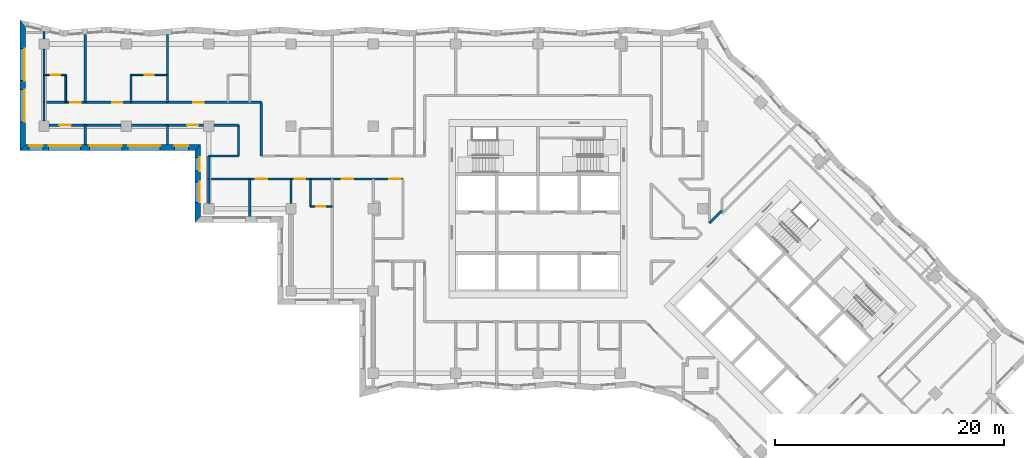
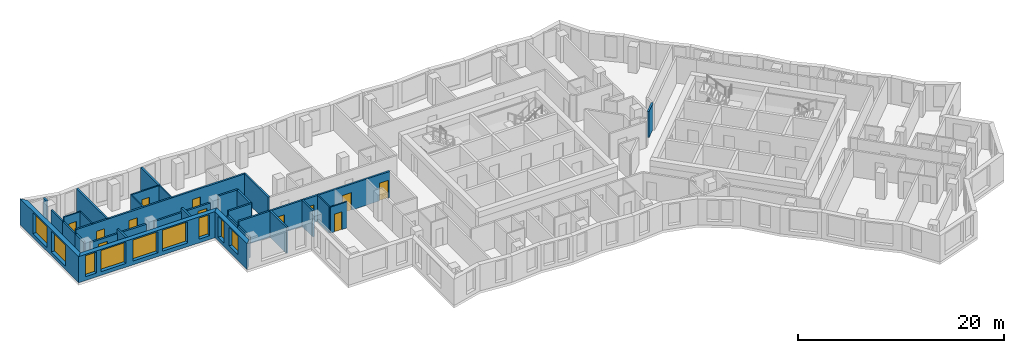
# One storey, part 4 of 12: 31 walls, 12 doors, 9 windows, 21 openings.
"""IFC4 building model written with IfcOpenShell, lengths in metres."""

from ifc_helpers import new_model, si_unit, direction, frame, frame_2d, origin, place, context, subcontext, project, spatial, polyline, rectangle, outline, extrude, material, layer, layer_set, type_object, element, fill, save


model = new_model("IFC4")

# Units and contexts
model_context = context("Model", 3, precision=1e-05, world=origin(), true_north=direction((0.0, 1.0)))
body_context = subcontext(model_context, "Body", "Model", "MODEL_VIEW")
ifc_project = project(units=[si_unit("LENGTHUNIT", "METRE"), si_unit("AREAUNIT", "SQUARE_METRE"), si_unit("VOLUMEUNIT", "CUBIC_METRE"), si_unit("PLANEANGLEUNIT", "RADIAN"), si_unit("MASSUNIT", "GRAM", prefix="KILO")], contexts=[model_context])

# Site, building, storey
site_placement = place(None, origin())
site = spatial("IfcSite", under=ifc_project, at=site_placement, CompositionType="ELEMENT")
building_placement = place(site_placement, origin())
building = spatial("IfcBuilding", under=site, at=building_placement, Name="Windrow Commons", CompositionType="ELEMENT")
storey_placement = place(building_placement, frame((0.0, 0.0, 135.4)))
storey = spatial("IfcBuildingStorey", under=building, at=storey_placement, Name="L36", CompositionType="ELEMENT", Elevation=135.4)

# Wall, openings, windows
ifc_material_1 = material(Name="Brick masonry, red clay brick", Category="masonry")
ifc_layer_1 = layer(ifc_material_1, 0.5)
ifc_layer_set_1 = layer_set([ifc_layer_1], Name="Brick facade wall 500")
wall_type_1 = type_object("IfcWallType", Name="Brick facade wall 500", PredefinedType="SOLIDWALL", material=ifc_layer_set_1)
wall_1_placement = place(storey_placement, frame((19.75, 73.7836, 0.0), z_axis=(0.0, 0.0, 1.0), x_axis=(0.0, -1.0, 0.0)))
wall_1 = element("IfcWall", 1, at=wall_1_placement, inside=storey, type_object=wall_type_1, Name="Brick facade wall L36 35", PredefinedType="SOLIDWALL", context=body_context, shape_type="SweptSolid", body=[
    extrude(outline(polyline([(-0.3164, -0.25), (11.0836, -0.25), (10.5836, 0.25), (0.3164, 0.25), (-0.3164, -0.25)])), origin(), (0.0, 0.0, 1.0), 3.1),
])
opening_1_placement = place(wall_1_placement, frame((2.1836, 0.0, 0.45)))
opening_1 = element("IfcOpeningElement", 2, at=opening_1_placement, cuts=wall_1, Name="Opening W1U", PredefinedType="OPENING", context=body_context, shape_type="SweptSolid", body=[
    extrude(rectangle(XDim=2.8, YDim=2.5, at=frame_2d((1.4, 1.25))), frame((0.0, 0.26, 0.0), z_axis=(0.0, -1.0, 0.0), x_axis=(1.0, 0.0, 0.0)), (0.0, 0.0, 1.0), 0.52),
])
opening_2_placement = place(wall_1_placement, frame((5.7836, 0.0, 0.45)))
opening_2 = element("IfcOpeningElement", 3, at=opening_2_placement, cuts=wall_1, Name="Opening W1U", PredefinedType="OPENING", context=body_context, shape_type="SweptSolid", body=[
    extrude(rectangle(XDim=2.8, YDim=2.5, at=frame_2d((1.4, 1.25))), frame((0.0, 0.26, 0.0), z_axis=(0.0, -1.0, 0.0), x_axis=(1.0, 0.0, 0.0)), (0.0, 0.0, 1.0), 0.52),
])
ifc_material_2 = material(Name="Clear float glass in anodised aluminium frame", Category="aluminium")
window_type_1 = type_object("IfcWindowType", Name="Window W1U bedroom 2800x2500", PartitioningType="SINGLE_PANEL", PredefinedType="WINDOW", material=ifc_material_2)
window_1_placement = place(opening_1_placement, origin())
window_1 = element("IfcWindow", 4, at=window_1_placement, inside=storey, type_object=window_type_1, Name="Window L36 35.1", OverallHeight=2.5, OverallWidth=2.8, PartitioningType="SINGLE_PANEL", PredefinedType="WINDOW", context=body_context, shape_type="SweptSolid", body=[
    extrude(rectangle(XDim=2.8, YDim=2.5, at=frame_2d((1.4, 1.25))), frame((0.0, 0.18, 0.0), z_axis=(0.0, -1.0, 0.0), x_axis=(1.0, 0.0, 0.0)), (0.0, 0.0, 1.0), 0.06),
])
fill(opening_1, window_1)
window_2_placement = place(opening_2_placement, origin())
window_2 = element("IfcWindow", 5, at=window_2_placement, inside=storey, type_object=window_type_1, Name="Window L36 35.2", OverallHeight=2.5, OverallWidth=2.8, PartitioningType="SINGLE_PANEL", PredefinedType="WINDOW", context=body_context, shape_type="SweptSolid", body=[
    extrude(rectangle(XDim=2.8, YDim=2.5, at=frame_2d((1.4, 1.25))), frame((0.0, 0.18, 0.0), z_axis=(0.0, -1.0, 0.0), x_axis=(1.0, 0.0, 0.0)), (0.0, 0.0, 1.0), 0.06),
])
fill(opening_2, window_2)

wall_2_placement = place(storey_placement, frame((19.75, 62.95, 0.0), z_axis=(0.0, 0.0, 1.0), x_axis=(1.0, 0.0, 0.0)))
wall_2 = element("IfcWall", 6, at=wall_2_placement, inside=storey, type_object=wall_type_1, Name="Brick facade wall L36 36", PredefinedType="SOLIDWALL", context=body_context, shape_type="SweptSolid", body=[
    extrude(outline(polyline([(-0.25, -0.25), (15.05, -0.25), (15.55, 0.25), (0.25, 0.25), (-0.25, -0.25)])), origin(), (0.0, 0.0, 1.0), 3.1),
])
opening_3_placement = place(wall_2_placement, frame((2.25, 0.0, 0.45)))
opening_3 = element("IfcOpeningElement", 7, at=opening_3_placement, cuts=wall_2, Name="Opening W1U", PredefinedType="OPENING", context=body_context, shape_type="SweptSolid", body=[
    extrude(rectangle(XDim=2.8, YDim=2.5, at=frame_2d((1.4, 1.25))), frame((0.0, 0.26, 0.0), z_axis=(0.0, -1.0, 0.0), x_axis=(1.0, 0.0, 0.0)), (0.0, 0.0, 1.0), 0.52),
])
opening_4_placement = place(wall_2_placement, frame((5.85, 0.0, 0.45)))
opening_4 = element("IfcOpeningElement", 8, at=opening_4_placement, cuts=wall_2, Name="Opening W1U", PredefinedType="OPENING", context=body_context, shape_type="SweptSolid", body=[
    extrude(rectangle(XDim=2.8, YDim=2.5, at=frame_2d((1.4, 1.25))), frame((0.0, 0.26, 0.0), z_axis=(0.0, -1.0, 0.0), x_axis=(1.0, 0.0, 0.0)), (0.0, 0.0, 1.0), 0.52),
])
opening_5_placement = place(wall_2_placement, frame((9.2, 0.0, 0.45)))
opening_5 = element("IfcOpeningElement", 9, at=opening_5_placement, cuts=wall_2, Name="Opening W1U", PredefinedType="OPENING", context=body_context, shape_type="SweptSolid", body=[
    extrude(rectangle(XDim=2.8, YDim=2.5, at=frame_2d((1.4, 1.25))), frame((0.0, 0.26, 0.0), z_axis=(0.0, -1.0, 0.0), x_axis=(1.0, 0.0, 0.0)), (0.0, 0.0, 1.0), 0.52),
])
opening_6_placement = place(wall_2_placement, frame((0.55, 0.0, 0.45)))
opening_6 = element("IfcOpeningElement", 10, at=opening_6_placement, cuts=wall_2, Name="Opening W7E", PredefinedType="OPENING", context=body_context, shape_type="SweptSolid", body=[
    extrude(rectangle(XDim=1.2, YDim=2.5, at=frame_2d((0.6, 1.25))), frame((0.0, 0.26, 0.0), z_axis=(0.0, -1.0, 0.0), x_axis=(1.0, 0.0, 0.0)), (0.0, 0.0, 1.0), 0.52),
])
opening_7_placement = place(wall_2_placement, frame((13.275, 0.0, 0.45)))
opening_7 = element("IfcOpeningElement", 11, at=opening_7_placement, cuts=wall_2, Name="Opening W7E", PredefinedType="OPENING", context=body_context, shape_type="SweptSolid", body=[
    extrude(rectangle(XDim=1.2, YDim=2.5, at=frame_2d((0.6, 1.25))), frame((0.0, 0.26, 0.0), z_axis=(0.0, -1.0, 0.0), x_axis=(1.0, 0.0, 0.0)), (0.0, 0.0, 1.0), 0.52),
])
window_3_placement = place(opening_3_placement, origin())
window_3 = element("IfcWindow", 12, at=window_3_placement, inside=storey, type_object=window_type_1, Name="Window L36 36.1", OverallHeight=2.5, OverallWidth=2.8, PartitioningType="SINGLE_PANEL", PredefinedType="WINDOW", context=body_context, shape_type="SweptSolid", body=[
    extrude(rectangle(XDim=2.8, YDim=2.5, at=frame_2d((1.4, 1.25))), frame((0.0, 0.18, 0.0), z_axis=(0.0, -1.0, 0.0), x_axis=(1.0, 0.0, 0.0)), (0.0, 0.0, 1.0), 0.06),
])
fill(opening_3, window_3)
window_4_placement = place(opening_4_placement, origin())
window_4 = element("IfcWindow", 13, at=window_4_placement, inside=storey, type_object=window_type_1, Name="Window L36 36.2", OverallHeight=2.5, OverallWidth=2.8, PartitioningType="SINGLE_PANEL", PredefinedType="WINDOW", context=body_context, shape_type="SweptSolid", body=[
    extrude(rectangle(XDim=2.8, YDim=2.5, at=frame_2d((1.4, 1.25))), frame((0.0, 0.18, 0.0), z_axis=(0.0, -1.0, 0.0), x_axis=(1.0, 0.0, 0.0)), (0.0, 0.0, 1.0), 0.06),
])
fill(opening_4, window_4)
window_5_placement = place(opening_5_placement, origin())
window_5 = element("IfcWindow", 14, at=window_5_placement, inside=storey, type_object=window_type_1, Name="Window L36 36.3", OverallHeight=2.5, OverallWidth=2.8, PartitioningType="SINGLE_PANEL", PredefinedType="WINDOW", context=body_context, shape_type="SweptSolid", body=[
    extrude(rectangle(XDim=2.8, YDim=2.5, at=frame_2d((1.4, 1.25))), frame((0.0, 0.18, 0.0), z_axis=(0.0, -1.0, 0.0), x_axis=(1.0, 0.0, 0.0)), (0.0, 0.0, 1.0), 0.06),
])
fill(opening_5, window_5)
ifc_material_3 = material(Name="Clear float glass in anodised aluminium frame", Category="aluminium")
window_type_2 = type_object("IfcWindowType", Name="Window W7 notch 1200x2500", PartitioningType="SINGLE_PANEL", PredefinedType="WINDOW", material=ifc_material_3)
window_6_placement = place(opening_6_placement, origin())
window_6 = element("IfcWindow", 15, at=window_6_placement, inside=storey, type_object=window_type_2, Name="Window L36 36.4", OverallHeight=2.5, OverallWidth=1.2, PartitioningType="SINGLE_PANEL", PredefinedType="WINDOW", context=body_context, shape_type="SweptSolid", body=[
    extrude(rectangle(XDim=1.2, YDim=2.5, at=frame_2d((0.6, 1.25))), frame((0.0, 0.18, 0.0), z_axis=(0.0, -1.0, 0.0), x_axis=(1.0, 0.0, 0.0)), (0.0, 0.0, 1.0), 0.06),
])
fill(opening_6, window_6)
window_7_placement = place(opening_7_placement, origin())
window_7 = element("IfcWindow", 16, at=window_7_placement, inside=storey, type_object=window_type_2, Name="Window L36 36.5", OverallHeight=2.5, OverallWidth=1.2, PartitioningType="SINGLE_PANEL", PredefinedType="WINDOW", context=body_context, shape_type="SweptSolid", body=[
    extrude(rectangle(XDim=1.2, YDim=2.5, at=frame_2d((0.6, 1.25))), frame((0.0, 0.18, 0.0), z_axis=(0.0, -1.0, 0.0), x_axis=(1.0, 0.0, 0.0)), (0.0, 0.0, 1.0), 0.06),
])
fill(opening_7, window_7)

wall_3_placement = place(storey_placement, frame((35.05, 62.95, 0.0), z_axis=(0.0, 0.0, 1.0), x_axis=(0.0, -1.0, 0.0)))
wall_3 = element("IfcWall", 17, at=wall_3_placement, inside=storey, type_object=wall_type_1, Name="Brick facade wall L36 37", PredefinedType="SOLIDWALL", context=body_context, shape_type="SweptSolid", body=[
    extrude(outline(polyline([(0.25, -0.25), (6.55, -0.25), (6.05, 0.25), (-0.25, 0.25), (0.25, -0.25)])), origin(), (0.0, 0.0, 1.0), 3.1),
])
opening_8_placement = place(wall_3_placement, frame((0.875, 0.0, 0.45)))
opening_8 = element("IfcOpeningElement", 18, at=opening_8_placement, cuts=wall_3, Name="Opening W7E", PredefinedType="OPENING", context=body_context, shape_type="SweptSolid", body=[
    extrude(rectangle(XDim=1.2, YDim=2.5, at=frame_2d((0.6, 1.25))), frame((0.0, 0.26, 0.0), z_axis=(0.0, -1.0, 0.0), x_axis=(1.0, 0.0, 0.0)), (0.0, 0.0, 1.0), 0.52),
])
opening_9_placement = place(wall_3_placement, frame((3.0, 0.0, 0.7)))
opening_9 = element("IfcOpeningElement", 19, at=opening_9_placement, cuts=wall_3, Name="Opening W6", PredefinedType="OPENING", context=body_context, shape_type="SweptSolid", body=[
    extrude(rectangle(XDim=1.8, YDim=2.2, at=frame_2d((0.9, 1.1))), frame((0.0, 0.26, 0.0), z_axis=(0.0, -1.0, 0.0), x_axis=(1.0, 0.0, 0.0)), (0.0, 0.0, 1.0), 0.52),
])
ifc_material_4 = material(Name="Clear float glass in anodised aluminium frame", Category="aluminium")
window_type_3 = type_object("IfcWindowType", Name="Window W6 crown 1800x2200", PartitioningType="SINGLE_PANEL", PredefinedType="WINDOW", material=ifc_material_4)
window_8_placement = place(opening_9_placement, origin())
window_8 = element("IfcWindow", 20, at=window_8_placement, inside=storey, type_object=window_type_3, Name="Window L36 37.1A", OverallHeight=2.2, OverallWidth=1.8, PartitioningType="SINGLE_PANEL", PredefinedType="WINDOW", context=body_context, shape_type="SweptSolid", body=[
    extrude(rectangle(XDim=1.8, YDim=2.2, at=frame_2d((0.9, 1.1))), frame((0.0, 0.18, 0.0), z_axis=(0.0, -1.0, 0.0), x_axis=(1.0, 0.0, 0.0)), (0.0, 0.0, 1.0), 0.06),
])
fill(opening_9, window_8)
window_9_placement = place(opening_8_placement, origin())
window_9 = element("IfcWindow", 21, at=window_9_placement, inside=storey, type_object=window_type_2, Name="Window L36 37.2", OverallHeight=2.5, OverallWidth=1.2, PartitioningType="SINGLE_PANEL", PredefinedType="WINDOW", context=body_context, shape_type="SweptSolid", body=[
    extrude(rectangle(XDim=1.2, YDim=2.5, at=frame_2d((0.6, 1.25))), frame((0.0, 0.18, 0.0), z_axis=(0.0, -1.0, 0.0), x_axis=(1.0, 0.0, 0.0)), (0.0, 0.0, 1.0), 0.06),
])
fill(opening_8, window_9)

# Wall, openings, doors
ifc_material_5 = material(Name="Blockwork partition", Category="masonry")
ifc_layer_2 = layer(ifc_material_5, 0.2)
ifc_layer_set_2 = layer_set([ifc_layer_2], Name="IW-CORRIDOR-200")
wall_type_2 = type_object("IfcWallType", Name="IW-CORRIDOR-200", PredefinedType="PARTITIONING", material=ifc_layer_set_2)
wall_4_placement = place(storey_placement, frame((21.6, 66.9, 0.0), z_axis=(0.0, 0.0, 1.0), x_axis=(1.0, 0.0, 0.0)))
wall_4 = element("IfcWall", 22, at=wall_4_placement, inside=storey, type_object=wall_type_2, Name="W-L36-W002", PredefinedType="PARTITIONING", context=body_context, shape_type="SweptSolid", body=[
    extrude(rectangle(XDim=19.0, YDim=0.2, at=frame_2d((9.5, 0.0))), origin(), (0.0, 0.0, 1.0), 3.1),
])
opening_10_placement = place(wall_4_placement, frame((2.3, 0.0, 0.0)))
opening_10 = element("IfcOpeningElement", 23, at=opening_10_placement, cuts=wall_4, Name="Opening D109S", PredefinedType="OPENING", context=body_context, shape_type="SweptSolid", body=[
    extrude(rectangle(XDim=0.9, YDim=2.1, at=frame_2d((0.45, 1.05))), frame((0.0, 0.11, 0.0), z_axis=(0.0, -1.0, 0.0), x_axis=(1.0, 0.0, 0.0)), (0.0, 0.0, 1.0), 0.22),
])
opening_11_placement = place(wall_4_placement, frame((5.957, 0.0, 0.0)))
opening_11 = element("IfcOpeningElement", 24, at=opening_11_placement, cuts=wall_4, Name="Opening D109F", PredefinedType="OPENING", context=body_context, shape_type="SweptSolid", body=[
    extrude(rectangle(XDim=0.9, YDim=2.1, at=frame_2d((0.45, 1.05))), frame((0.0, 0.11, 0.0), z_axis=(0.0, -1.0, 0.0), x_axis=(1.0, 0.0, 0.0)), (0.0, 0.0, 1.0), 0.22),
])
opening_12_placement = place(wall_4_placement, frame((13.0566, 0.0, 0.0)))
opening_12 = element("IfcOpeningElement", 25, at=opening_12_placement, cuts=wall_4, Name="Opening D109F", PredefinedType="OPENING", context=body_context, shape_type="SweptSolid", body=[
    extrude(rectangle(XDim=0.9, YDim=2.1, at=frame_2d((0.45, 1.05))), frame((0.0, 0.11, 0.0), z_axis=(0.0, -1.0, 0.0), x_axis=(1.0, 0.0, 0.0)), (0.0, 0.0, 1.0), 0.22),
])
ifc_material_6 = material(Name="Timber door leaf", Category="wood")
door_type_1 = type_object("IfcDoorType", Name="DT-BEDROOM-900", OperationType="SINGLE_SWING_LEFT", PredefinedType="DOOR", material=ifc_material_6)
door_1_placement = place(opening_10_placement, origin())
door_1 = element("IfcDoor", 26, at=door_1_placement, inside=storey, type_object=door_type_1, Name="D-L36-D003", OperationType="SINGLE_SWING_RIGHT", OverallHeight=2.1, OverallWidth=0.9, PredefinedType="DOOR", context=body_context, shape_type="SweptSolid", body=[
    extrude(rectangle(XDim=0.9, YDim=2.1, at=frame_2d((0.45, 1.05))), frame((0.0, 0.025, 0.0), z_axis=(0.0, -1.0, 0.0), x_axis=(1.0, 0.0, 0.0)), (0.0, 0.0, 1.0), 0.05),
])
fill(opening_10, door_1)
door_2_placement = place(opening_11_placement, origin())
door_2 = element("IfcDoor", 27, at=door_2_placement, inside=storey, type_object=door_type_1, Name="D-L36-D005", OperationType="SINGLE_SWING_LEFT", OverallHeight=2.1, OverallWidth=0.9, PredefinedType="DOOR", context=body_context, shape_type="SweptSolid", body=[
    extrude(rectangle(XDim=0.9, YDim=2.1, at=frame_2d((0.45, 1.05))), frame((0.0, 0.025, 0.0), z_axis=(0.0, -1.0, 0.0), x_axis=(1.0, 0.0, 0.0)), (0.0, 0.0, 1.0), 0.05),
])
fill(opening_11, door_2)
door_3_placement = place(opening_12_placement, origin())
door_3 = element("IfcDoor", 28, at=door_3_placement, inside=storey, type_object=door_type_1, Name="D-L36-D007", OperationType="SINGLE_SWING_LEFT", OverallHeight=2.1, OverallWidth=0.9, PredefinedType="DOOR", context=body_context, shape_type="SweptSolid", body=[
    extrude(rectangle(XDim=0.9, YDim=2.1, at=frame_2d((0.45, 1.05))), frame((0.0, 0.025, 0.0), z_axis=(0.0, -1.0, 0.0), x_axis=(1.0, 0.0, 0.0)), (0.0, 0.0, 1.0), 0.05),
])
fill(opening_12, door_3)

wall_5_placement = place(storey_placement, frame((36.0, 60.2, 0.0), z_axis=(0.0, 0.0, 1.0), x_axis=(1.0, 0.0, 0.0)))
wall_5 = element("IfcWall", 29, at=wall_5_placement, inside=storey, type_object=wall_type_2, Name="W-L36-W003", PredefinedType="PARTITIONING", context=body_context, shape_type="SweptSolid", body=[
    extrude(rectangle(XDim=17.0, YDim=0.2, at=frame_2d((8.5, 0.0))), origin(), (0.0, 0.0, 1.0), 3.1),
])
opening_13_placement = place(wall_5_placement, frame((15.805, 0.0, 0.0)))
opening_13 = element("IfcOpeningElement", 30, at=opening_13_placement, cuts=wall_5, Name="Opening D410F", PredefinedType="OPENING", context=body_context, shape_type="SweptSolid", body=[
    extrude(rectangle(XDim=1.0, YDim=2.1, at=frame_2d((0.5, 1.05))), frame((0.0, 0.11, 0.0), z_axis=(0.0, -1.0, 0.0), x_axis=(1.0, 0.0, 0.0)), (0.0, 0.0, 1.0), 0.22),
])
opening_14_placement = place(wall_5_placement, frame((4.125, 0.0, 0.0)))
opening_14 = element("IfcOpeningElement", 31, at=opening_14_placement, cuts=wall_5, Name="Opening D310F", PredefinedType="OPENING", context=body_context, shape_type="SweptSolid", body=[
    extrude(rectangle(XDim=1.0, YDim=2.1, at=frame_2d((0.5, 1.05))), frame((0.0, 0.11, 0.0), z_axis=(0.0, -1.0, 0.0), x_axis=(1.0, 0.0, 0.0)), (0.0, 0.0, 1.0), 0.22),
])
opening_15_placement = place(wall_5_placement, frame((7.55, 0.0, 0.0)))
opening_15 = element("IfcOpeningElement", 32, at=opening_15_placement, cuts=wall_5, Name="Opening D109S", PredefinedType="OPENING", context=body_context, shape_type="SweptSolid", body=[
    extrude(rectangle(XDim=0.9, YDim=2.1, at=frame_2d((0.45, 1.05))), frame((0.0, 0.11, 0.0), z_axis=(0.0, -1.0, 0.0), x_axis=(1.0, 0.0, 0.0)), (0.0, 0.0, 1.0), 0.22),
])
opening_16_placement = place(wall_5_placement, frame((11.635, 0.0, 0.0)))
opening_16 = element("IfcOpeningElement", 33, at=opening_16_placement, cuts=wall_5, Name="Opening D310F", PredefinedType="OPENING", context=body_context, shape_type="SweptSolid", body=[
    extrude(rectangle(XDim=1.0, YDim=2.1, at=frame_2d((0.5, 1.05))), frame((0.0, 0.11, 0.0), z_axis=(0.0, -1.0, 0.0), x_axis=(1.0, 0.0, 0.0)), (0.0, 0.0, 1.0), 0.22),
])
ifc_material_7 = material(Name="Timber door leaf", Category="wood")
door_type_2 = type_object("IfcDoorType", Name="DT-AMENITY-1000", OperationType="SINGLE_SWING_LEFT", PredefinedType="DOOR", material=ifc_material_7)
door_4_placement = place(opening_14_placement, origin())
door_4 = element("IfcDoor", 34, at=door_4_placement, inside=storey, type_object=door_type_2, Name="D-L36-D012", OperationType="SINGLE_SWING_RIGHT", OverallHeight=2.1, OverallWidth=1.0, PredefinedType="DOOR", context=body_context, shape_type="SweptSolid", body=[
    extrude(rectangle(XDim=1.0, YDim=2.1, at=frame_2d((0.5, 1.05))), frame((0.0, 0.025, 0.0), z_axis=(0.0, -1.0, 0.0), x_axis=(1.0, 0.0, 0.0)), (0.0, 0.0, 1.0), 0.05),
])
fill(opening_14, door_4)
door_5_placement = place(opening_16_placement, origin())
door_5 = element("IfcDoor", 35, at=door_5_placement, inside=storey, type_object=door_type_2, Name="D-L36-D023", OperationType="SINGLE_SWING_RIGHT", OverallHeight=2.1, OverallWidth=1.0, PredefinedType="DOOR", context=body_context, shape_type="SweptSolid", body=[
    extrude(rectangle(XDim=1.0, YDim=2.1, at=frame_2d((0.5, 1.05))), frame((0.0, 0.025, 0.0), z_axis=(0.0, -1.0, 0.0), x_axis=(1.0, 0.0, 0.0)), (0.0, 0.0, 1.0), 0.05),
])
fill(opening_16, door_5)
door_6_placement = place(opening_15_placement, origin())
door_6 = element("IfcDoor", 36, at=door_6_placement, inside=storey, type_object=door_type_1, Name="D-L36-D013", OperationType="SINGLE_SWING_LEFT", OverallHeight=2.1, OverallWidth=0.9, PredefinedType="DOOR", context=body_context, shape_type="SweptSolid", body=[
    extrude(rectangle(XDim=0.9, YDim=2.1, at=frame_2d((0.45, 1.05))), frame((0.0, 0.025, 0.0), z_axis=(0.0, -1.0, 0.0), x_axis=(1.0, 0.0, 0.0)), (0.0, 0.0, 1.0), 0.05),
])
fill(opening_15, door_6)
ifc_material_8 = material(Name="Timber door leaf", Category="wood")
door_type_3 = type_object("IfcDoorType", Name="DT-SERVICE-1000", OperationType="SINGLE_SWING_LEFT", PredefinedType="DOOR", material=ifc_material_8)
door_7_placement = place(opening_13_placement, origin())
door_7 = element("IfcDoor", 37, at=door_7_placement, inside=storey, type_object=door_type_3, Name="D-L36-D000", OperationType="SINGLE_SWING_LEFT", OverallHeight=2.1, OverallWidth=1.0, PredefinedType="DOOR", context=body_context, shape_type="SweptSolid", body=[
    extrude(rectangle(XDim=1.0, YDim=2.1, at=frame_2d((0.5, 1.05))), frame((0.0, 0.025, 0.0), z_axis=(0.0, -1.0, 0.0), x_axis=(1.0, 0.0, 0.0)), (0.0, 0.0, 1.0), 0.05),
])
fill(opening_13, door_7)

# Wall, opening, door
wall_6_placement = place(storey_placement, frame((22.05, 64.9, 0.0), z_axis=(0.0, 0.0, 1.0), x_axis=(1.0, 0.0, 0.0)))
wall_6 = element("IfcWall", 38, at=wall_6_placement, inside=storey, type_object=wall_type_2, Name="W-L36-W022", PredefinedType="PARTITIONING", context=body_context, shape_type="SweptSolid", body=[
    extrude(rectangle(XDim=6.3, YDim=0.2, at=frame_2d((3.15, 0.0))), origin(), (0.0, 0.0, 1.0), 2.6),
])
opening_17_placement = place(wall_6_placement, frame((0.9038, 0.0, 0.0)))
opening_17 = element("IfcOpeningElement", 39, at=opening_17_placement, cuts=wall_6, Name="Opening D310F", PredefinedType="OPENING", context=body_context, shape_type="SweptSolid", body=[
    extrude(rectangle(XDim=1.0, YDim=2.1, at=frame_2d((0.5, 1.05))), frame((0.0, 0.11, 0.0), z_axis=(0.0, -1.0, 0.0), x_axis=(1.0, 0.0, 0.0)), (0.0, 0.0, 1.0), 0.22),
])
door_8_placement = place(opening_17_placement, origin())
door_8 = element("IfcDoor", 40, at=door_8_placement, inside=storey, type_object=door_type_2, Name="D-L36-D002", OperationType="SINGLE_SWING_RIGHT", OverallHeight=2.1, OverallWidth=1.0, PredefinedType="DOOR", context=body_context, shape_type="SweptSolid", body=[
    extrude(rectangle(XDim=1.0, YDim=2.1, at=frame_2d((0.5, 1.05))), frame((0.0, 0.025, 0.0), z_axis=(0.0, -1.0, 0.0), x_axis=(1.0, 0.0, 0.0)), (0.0, 0.0, 1.0), 0.05),
])
fill(opening_17, door_8)

wall_7_placement = place(storey_placement, frame((29.25, 64.9, 0.0), z_axis=(0.0, 0.0, 1.0), x_axis=(1.0, 0.0, 0.0)))
wall_7 = element("IfcWall", 41, at=wall_7_placement, inside=storey, type_object=wall_type_2, Name="W-L36-W023", PredefinedType="PARTITIONING", context=body_context, shape_type="SweptSolid", body=[
    extrude(rectangle(XDim=6.3, YDim=0.2, at=frame_2d((3.15, 0.0))), origin(), (0.0, 0.0, 1.0), 2.6),
])
opening_18_placement = place(wall_7_placement, frame((4.8599, 0.0, 0.0)))
opening_18 = element("IfcOpeningElement", 42, at=opening_18_placement, cuts=wall_7, Name="Opening D310F", PredefinedType="OPENING", context=body_context, shape_type="SweptSolid", body=[
    extrude(rectangle(XDim=1.0, YDim=2.1, at=frame_2d((0.5, 1.05))), frame((0.0, 0.11, 0.0), z_axis=(0.0, -1.0, 0.0), x_axis=(1.0, 0.0, 0.0)), (0.0, 0.0, 1.0), 0.22),
])
door_9_placement = place(opening_18_placement, origin())
door_9 = element("IfcDoor", 43, at=door_9_placement, inside=storey, type_object=door_type_2, Name="D-L36-D010", OperationType="SINGLE_SWING_RIGHT", OverallHeight=2.1, OverallWidth=1.0, PredefinedType="DOOR", context=body_context, shape_type="SweptSolid", body=[
    extrude(rectangle(XDim=1.0, YDim=2.1, at=frame_2d((0.5, 1.05))), frame((0.0, 0.025, 0.0), z_axis=(0.0, -1.0, 0.0), x_axis=(1.0, 0.0, 0.0)), (0.0, 0.0, 1.0), 0.05),
])
fill(opening_18, door_9)

# Walls
wall_8_placement = place(storey_placement, frame((40.6, 62.202, 0.0), z_axis=(0.0, 0.0, 1.0), x_axis=(0.0, 1.0, 0.0)))
element("IfcWall", 44, at=wall_8_placement, inside=storey, type_object=wall_type_2, Name="W-L36-W036", PredefinedType="PARTITIONING", context=body_context, shape_type="SweptSolid", body=[
    extrude(rectangle(XDim=4.696, YDim=0.2, at=frame_2d((2.348, 0.0))), origin(), (0.0, 0.0, 1.0), 3.1),
])
wall_9_placement = place(storey_placement, frame((38.6, 62.202, 0.0), z_axis=(0.0, 0.0, 1.0), x_axis=(0.0, 1.0, 0.0)))
element("IfcWall", 45, at=wall_9_placement, inside=storey, type_object=wall_type_2, Name="W-L36-W055", PredefinedType="PARTITIONING", context=body_context, shape_type="SweptSolid", body=[
    extrude(rectangle(XDim=2.698, YDim=0.2, at=frame_2d((1.349, 0.0))), origin(), (0.0, 0.0, 1.0), 3.1),
])
wall_10_placement = place(storey_placement, frame((36.002, 62.2, 0.0), z_axis=(0.0, 0.0, 1.0), x_axis=(1.0, 0.0, 0.0)))
element("IfcWall", 46, at=wall_10_placement, inside=storey, type_object=wall_type_2, Name="W-L36-W059", PredefinedType="PARTITIONING", context=body_context, shape_type="SweptSolid", body=[
    extrude(rectangle(XDim=2.598, YDim=0.2, at=frame_2d((1.299, 0.0))), origin(), (0.0, 0.0, 1.0), 3.1),
])
wall_11_placement = place(storey_placement, frame((36.45, 64.9, 0.0), z_axis=(0.0, 0.0, 1.0), x_axis=(1.0, 0.0, 0.0)))
element("IfcWall", 47, at=wall_11_placement, inside=storey, type_object=wall_type_2, Name="W-L36-W098", PredefinedType="PARTITIONING", context=body_context, shape_type="SweptSolid", body=[
    extrude(rectangle(XDim=2.15, YDim=0.2, at=frame_2d((1.075, 0.0))), origin(), (0.0, 0.0, 1.0), 3.1),
])
wall_12_placement = place(storey_placement, frame((36.0, 60.2, 0.0), z_axis=(0.0, 0.0, 1.0), x_axis=(0.0, 1.0, 0.0)))
element("IfcWall", 48, at=wall_12_placement, inside=storey, type_object=wall_type_2, Name="W-L36-W107", PredefinedType="PARTITIONING", context=body_context, shape_type="SweptSolid", body=[
    extrude(rectangle(XDim=2.0, YDim=0.2, at=frame_2d((1.0, 0.0))), origin(), (0.0, 0.0, 1.0), 2.6),
])
wall_13_placement = place(storey_placement, frame((21.6, 65.25, 0.0), z_axis=(0.0, 0.0, 1.0), x_axis=(0.0, 1.0, 0.0)))
element("IfcWall", 49, at=wall_13_placement, inside=storey, type_object=wall_type_2, Name="W-L36-W134", PredefinedType="PARTITIONING", context=body_context, shape_type="SweptSolid", body=[
    extrude(rectangle(XDim=1.65, YDim=0.2, at=frame_2d((0.825, 0.0))), origin(), (0.0, 0.0, 1.0), 2.6),
])
wall_14_placement = place(storey_placement, frame((79.8009, 56.3391, 0.0), z_axis=(0.0, 0.0, 1.0), x_axis=(0.7071067812, 0.7071067812, 0.0)))
element("IfcWall", 50, at=wall_14_placement, inside=storey, type_object=wall_type_2, Name="W-L36-W140", PredefinedType="PARTITIONING", context=body_context, shape_type="SweptSolid", body=[
    extrude(rectangle(XDim=1.5528, YDim=0.2, at=frame_2d((0.7764, 0.0))), origin(), (0.0, 0.0, 1.0), 3.1),
])

# Wall, opening, door
ifc_material_9 = material(Name="Blockwork partition", Category="masonry")
ifc_layer_3 = layer(ifc_material_9, 0.15)
ifc_layer_set_3 = layer_set([ifc_layer_3], Name="IW-ENSUITE-150")
wall_type_3 = type_object("IfcWallType", Name="IW-ENSUITE-150", PredefinedType="PARTITIONING", material=ifc_layer_set_3)
wall_15_placement = place(storey_placement, frame((29.2, 69.3, 0.0), z_axis=(0.0, 0.0, 1.0), x_axis=(1.0, 0.0, 0.0)))
wall_15 = element("IfcWall", 51, at=wall_15_placement, inside=storey, type_object=wall_type_3, Name="W-L36-W051", PredefinedType="PARTITIONING", context=body_context, shape_type="SweptSolid", body=[
    extrude(rectangle(XDim=3.2, YDim=0.15, at=frame_2d((1.6, 0.0))), origin(), (0.0, 0.0, 1.0), 3.1),
])
opening_19_placement = place(wall_15_placement, frame((1.2042, 0.0, 0.0)))
opening_19 = element("IfcOpeningElement", 52, at=opening_19_placement, cuts=wall_15, Name="Opening D208N", PredefinedType="OPENING", context=body_context, shape_type="SweptSolid", body=[
    extrude(rectangle(XDim=0.8, YDim=2.1, at=frame_2d((0.4, 1.05))), frame((0.0, 0.085, 0.0), z_axis=(0.0, -1.0, 0.0), x_axis=(1.0, 0.0, 0.0)), (0.0, 0.0, 1.0), 0.17),
])
ifc_material_10 = material(Name="Timber door leaf", Category="wood")
door_type_4 = type_object("IfcDoorType", Name="DT-ENSUITE-800", OperationType="SINGLE_SWING_LEFT", PredefinedType="DOOR", material=ifc_material_10)
door_10_placement = place(opening_19_placement, origin())
door_10 = element("IfcDoor", 53, at=door_10_placement, inside=storey, type_object=door_type_4, Name="D-L36-D006", OperationType="SINGLE_SWING_RIGHT", OverallHeight=2.1, OverallWidth=0.8, PredefinedType="DOOR", context=body_context, shape_type="SweptSolid", body=[
    extrude(rectangle(XDim=0.8, YDim=2.1, at=frame_2d((0.4, 1.05))), frame((0.0, 0.025, 0.0), z_axis=(0.0, -1.0, 0.0), x_axis=(1.0, 0.0, 0.0)), (0.0, 0.0, 1.0), 0.05),
])
fill(opening_19, door_10)

# Walls
wall_16_placement = place(storey_placement, frame((44.9, 57.8, 0.0), z_axis=(0.0, 0.0, 1.0), x_axis=(0.0, 1.0, 0.0)))
element("IfcWall", 54, at=wall_16_placement, inside=storey, type_object=wall_type_3, Name="W-L36-W065", PredefinedType="PARTITIONING", context=body_context, shape_type="SweptSolid", body=[
    extrude(rectangle(XDim=2.4, YDim=0.15, at=frame_2d((1.2, 0.0))), origin(), (0.0, 0.0, 1.0), 3.1),
])
wall_17_placement = place(storey_placement, frame((21.6, 66.9, 0.0), z_axis=(0.0, 0.0, 1.0), x_axis=(0.0, 1.0, 0.0)))
element("IfcWall", 55, at=wall_17_placement, inside=storey, type_object=wall_type_3, Name="W-L36-W076", PredefinedType="PARTITIONING", context=body_context, shape_type="SweptSolid", body=[
    extrude(rectangle(XDim=2.4, YDim=0.15, at=frame_2d((1.2, 0.0))), origin(), (0.0, 0.0, 1.0), 2.6),
])
for number, where, z_axis, x_axis, name in (
    (56, (23.5, 66.9, 0.0), (0.0, 0.0, 1.0), (0.0, 1.0, 0.0), "W-L36-W077"),
    (57, (29.2, 66.9, 0.0), (0.0, 0.0, 1.0), (0.0, 1.0, 0.0), "W-L36-W078"),
    (58, (32.4, 66.9, 0.0), (0.0, 0.0, 1.0), (0.0, 1.0, 0.0), "W-L36-W079"),
):
    element("IfcWall", number, at=place(storey_placement, frame(where, z_axis=z_axis, x_axis=x_axis)), inside=storey, type_object=wall_type_3, Name=name, PredefinedType="PARTITIONING", context=body_context, shape_type="SweptSolid", body=[
        extrude(rectangle(XDim=2.4, YDim=0.15, at=frame_2d((1.2, 0.0))), origin(), (0.0, 0.0, 1.0), 3.1),
    ])

# Wall, opening, door
wall_18_placement = place(storey_placement, frame((21.6, 69.3, 0.0), z_axis=(0.0, 0.0, 1.0), x_axis=(1.0, 0.0, 0.0)))
wall_18 = element("IfcWall", 59, at=wall_18_placement, inside=storey, type_object=wall_type_3, Name="W-L36-W119", PredefinedType="PARTITIONING", context=body_context, shape_type="SweptSolid", body=[
    extrude(rectangle(XDim=1.9, YDim=0.15, at=frame_2d((0.95, 0.0))), origin(), (0.0, 0.0, 1.0), 3.1),
])
opening_20_placement = place(wall_18_placement, frame((0.6069, 0.0, 0.0)))
opening_20 = element("IfcOpeningElement", 60, at=opening_20_placement, cuts=wall_18, Name="Opening D208N", PredefinedType="OPENING", context=body_context, shape_type="SweptSolid", body=[
    extrude(rectangle(XDim=0.8, YDim=2.1, at=frame_2d((0.4, 1.05))), frame((0.0, 0.085, 0.0), z_axis=(0.0, -1.0, 0.0), x_axis=(1.0, 0.0, 0.0)), (0.0, 0.0, 1.0), 0.17),
])
door_11_placement = place(opening_20_placement, origin())
door_11 = element("IfcDoor", 61, at=door_11_placement, inside=storey, type_object=door_type_4, Name="D-L36-D004", OperationType="SINGLE_SWING_RIGHT", OverallHeight=2.1, OverallWidth=0.8, PredefinedType="DOOR", context=body_context, shape_type="SweptSolid", body=[
    extrude(rectangle(XDim=0.8, YDim=2.1, at=frame_2d((0.4, 1.05))), frame((0.0, 0.025, 0.0), z_axis=(0.0, -1.0, 0.0), x_axis=(1.0, 0.0, 0.0)), (0.0, 0.0, 1.0), 0.05),
])
fill(opening_20, door_11)

wall_19_placement = place(storey_placement, frame((44.9, 57.8, 0.0), z_axis=(0.0, 0.0, 1.0), x_axis=(1.0, 0.0, 0.0)))
wall_19 = element("IfcWall", 62, at=wall_19_placement, inside=storey, type_object=wall_type_3, Name="W-L36-W122", PredefinedType="PARTITIONING", context=body_context, shape_type="SweptSolid", body=[
    extrude(rectangle(XDim=1.9, YDim=0.15, at=frame_2d((0.95, 0.0))), origin(), (0.0, 0.0, 1.0), 3.1),
])
opening_21_placement = place(wall_19_placement, frame((0.4931, 0.0, 0.0)))
opening_21 = element("IfcOpeningElement", 63, at=opening_21_placement, cuts=wall_19, Name="Opening D208N", PredefinedType="OPENING", context=body_context, shape_type="SweptSolid", body=[
    extrude(rectangle(XDim=0.8, YDim=2.1, at=frame_2d((0.4, 1.05))), frame((0.0, 0.085, 0.0), z_axis=(0.0, -1.0, 0.0), x_axis=(1.0, 0.0, 0.0)), (0.0, 0.0, 1.0), 0.17),
])
door_12_placement = place(opening_21_placement, origin())
door_12 = element("IfcDoor", 64, at=door_12_placement, inside=storey, type_object=door_type_4, Name="D-L36-D014", OperationType="SINGLE_SWING_RIGHT", OverallHeight=2.1, OverallWidth=0.8, PredefinedType="DOOR", context=body_context, shape_type="SweptSolid", body=[
    extrude(rectangle(XDim=0.8, YDim=2.1, at=frame_2d((0.4, 1.05))), frame((0.0, 0.025, 0.0), z_axis=(0.0, -1.0, 0.0), x_axis=(1.0, 0.0, 0.0)), (0.0, 0.0, 1.0), 0.05),
])
fill(opening_21, door_12)

# Walls
ifc_material_11 = material(Name="Blockwork partition", Category="masonry")
ifc_layer_4 = layer(ifc_material_11, 0.2)
ifc_layer_set_4 = layer_set([ifc_layer_4], Name="IW-PARTY-200")
wall_type_4 = type_object("IfcWallType", Name="IW-PARTY-200", PredefinedType="PARTITIONING", material=ifc_layer_set_4)
wall_20_placement = place(storey_placement, frame((25.2, 66.9, 0.0), z_axis=(0.0, 0.0, 1.0), x_axis=(0.0, 1.0, 0.0)))
element("IfcWall", 65, at=wall_20_placement, inside=storey, type_object=wall_type_4, Name="W-L36-W028", PredefinedType="PARTITIONING", context=body_context, shape_type="SweptSolid", body=[
    extrude(rectangle(XDim=5.9501, YDim=0.2, at=frame_2d((2.975, 0.0))), origin(), (0.0, 0.0, 1.0), 3.1),
])
wall_21_placement = place(storey_placement, frame((32.4, 69.3, 0.0), z_axis=(0.0, 0.0, 1.0), x_axis=(0.0, 1.0, 0.0)))
element("IfcWall", 66, at=wall_21_placement, inside=storey, type_object=wall_type_4, Name="W-L36-W047", PredefinedType="PARTITIONING", context=body_context, shape_type="SweptSolid", body=[
    extrude(rectangle(XDim=3.5207, YDim=0.2, at=frame_2d((1.7604, 0.0))), origin(), (0.0, 0.0, 1.0), 3.1),
])
wall_22_placement = place(storey_placement, frame((39.6, 56.9, 0.0), z_axis=(0.0, 0.0, 1.0), x_axis=(0.0, 1.0, 0.0)))
element("IfcWall", 67, at=wall_22_placement, inside=storey, type_object=wall_type_4, Name="W-L36-W050", PredefinedType="PARTITIONING", context=body_context, shape_type="SweptSolid", body=[
    extrude(rectangle(XDim=3.3, YDim=0.2, at=frame_2d((1.65, 0.0))), origin(), (0.0, 0.0, 1.0), 3.1),
])
wall_23_placement = place(storey_placement, frame((21.6, 69.3, 0.0), z_axis=(0.0, 0.0, 1.0), x_axis=(0.0, 1.0, 0.0)))
element("IfcWall", 68, at=wall_23_placement, inside=storey, type_object=wall_type_4, Name="W-L36-W095", PredefinedType="PARTITIONING", context=body_context, shape_type="SweptSolid", body=[
    extrude(rectangle(XDim=2.25, YDim=0.2, at=frame_2d((1.125, 0.0))), origin(), (0.0, 0.0, 1.0), 2.6),
])
wall_24_placement = place(storey_placement, frame((36.0, 58.05, 0.0), z_axis=(0.0, 0.0, 1.0), x_axis=(0.0, 1.0, 0.0)))
element("IfcWall", 69, at=wall_24_placement, inside=storey, type_object=wall_type_4, Name="W-L36-W096", PredefinedType="PARTITIONING", context=body_context, shape_type="SweptSolid", body=[
    extrude(rectangle(XDim=2.15, YDim=0.2, at=frame_2d((1.075, 0.0))), origin(), (0.0, 0.0, 1.0), 2.6),
])
wall_25_placement = place(storey_placement, frame((43.2, 58.05, 0.0), z_axis=(0.0, 0.0, 1.0), x_axis=(0.0, 1.0, 0.0)))
element("IfcWall", 70, at=wall_25_placement, inside=storey, type_object=wall_type_4, Name="W-L36-W097", PredefinedType="PARTITIONING", context=body_context, shape_type="SweptSolid", body=[
    extrude(rectangle(XDim=2.15, YDim=0.2, at=frame_2d((1.075, 0.0))), origin(), (0.0, 0.0, 1.0), 3.1),
])
for number, where, z_axis, x_axis, name in (
    (71, (25.2, 63.2, 0.0), (0.0, 0.0, 1.0), (0.0, 1.0, 0.0), "W-L36-W135"),
    (72, (32.4, 63.2, 0.0), (0.0, 0.0, 1.0), (0.0, 1.0, 0.0), "W-L36-W136"),
):
    element("IfcWall", number, at=place(storey_placement, frame(where, z_axis=z_axis, x_axis=x_axis)), inside=storey, type_object=wall_type_4, Name=name, PredefinedType="PARTITIONING", context=body_context, shape_type="SweptSolid", body=[
        extrude(rectangle(XDim=1.7, YDim=0.2, at=frame_2d((0.85, 0.0))), origin(), (0.0, 0.0, 1.0), 3.1),
    ])
wall_26_placement = place(storey_placement, frame((21.6, 72.45, 0.0), z_axis=(0.0, 0.0, 1.0), x_axis=(0.0, 1.0, 0.0)))
element("IfcWall", 73, at=wall_26_placement, inside=storey, type_object=wall_type_4, Name="W-L36-W160", PredefinedType="PARTITIONING", context=body_context, shape_type="SweptSolid", body=[
    extrude(rectangle(XDim=0.6368, YDim=0.2, at=frame_2d((0.3184, 0.0))), origin(), (0.0, 0.0, 1.0), 3.1),
])

save(model, "model.ifc")
